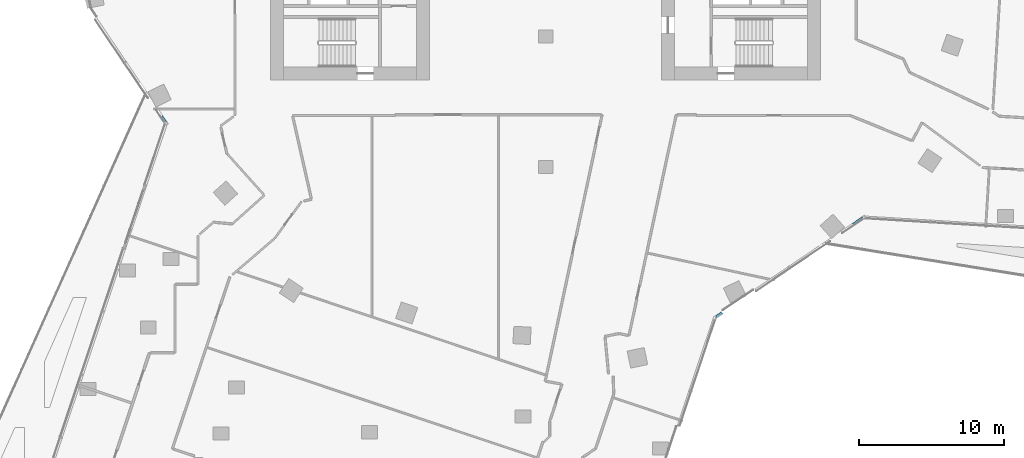
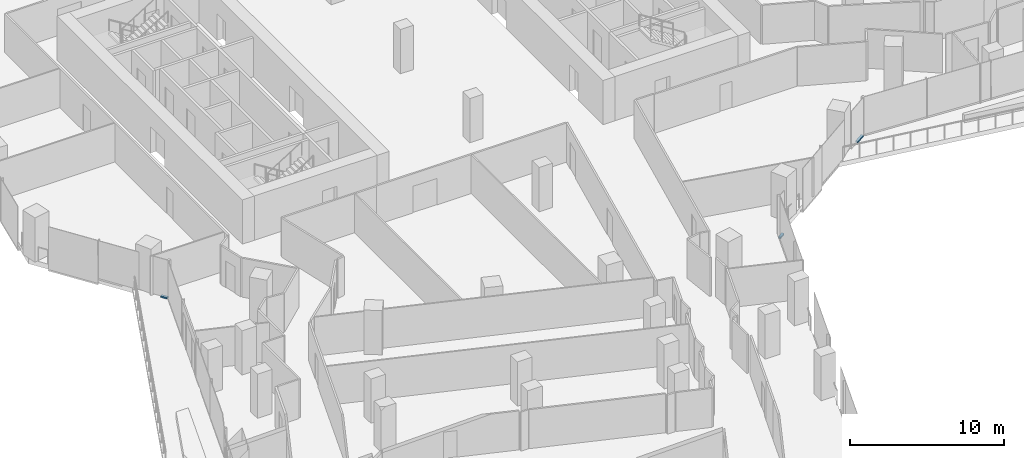
# One storey, part 14 of 34: 3 members, 2 elements without a shape of their own.
"""IFC4 building model written with IfcOpenShell, lengths in metres."""

from ifc_helpers import new_model, si_unit, direction, frame, origin, origin_2d, place, context, subcontext, project, spatial, rectangle, extrude, material, material_profile, profile_set, type_object, element, aggregate, save


model = new_model("IFC4")

# Units and contexts
model_context = context("Model", 3, precision=1e-05, world=origin(), true_north=direction((0.0, 1.0)))
body_context = subcontext(model_context, "Body", "Model", "MODEL_VIEW")
ifc_project = project(units=[si_unit("LENGTHUNIT", "METRE"), si_unit("AREAUNIT", "SQUARE_METRE"), si_unit("VOLUMEUNIT", "CUBIC_METRE"), si_unit("PLANEANGLEUNIT", "RADIAN"), si_unit("MASSUNIT", "GRAM", prefix="KILO")], contexts=[model_context])

# Site, building, storey
site_placement = place(None, origin())
site = spatial("IfcSite", under=ifc_project, at=site_placement, CompositionType="ELEMENT")
building_placement = place(site_placement, origin())
building = spatial("IfcBuilding", under=site, at=building_placement, Name="Orlundy Tower", CompositionType="ELEMENT")
storey_placement = place(building_placement, frame((0.0, 0.0, 145.60009765625)))
storey = spatial("IfcBuildingStorey", under=building, at=storey_placement, Name="L37", CompositionType="ELEMENT", Elevation=145.60009765625)

# Curtain wall, members
ifc_material_1 = material(Name="Aluminium bronze anodised", Category="aluminium")
curtain_wall_type = type_object("IfcCurtainWallType", Name="CW1 wall", PredefinedType="NOTDEFINED", material=ifc_material_1)
curtain_wall_1_placement = place(storey_placement, origin())
curtain_wall_1 = element("IfcCurtainWall", 1, at=curtain_wall_1_placement, inside=storey, type_object=curtain_wall_type, Name="CW1 run 01", PredefinedType="NOTDEFINED")
ifc_material_2 = material(Name="Aluminium bronze anodised", Category="aluminium")
ifc_material_profile = material_profile(ifc_material_2, rectangle(XDim=0.179931640625, YDim=0.1201171875, at=origin_2d()), Name="CW1 transom 180x120")
ifc_profile_set = profile_set([ifc_material_profile], Name="Aluminium bronze anodised")
member_type = type_object("IfcMemberType", Name="CW1 transom 180x120", PredefinedType="USERDEFINED", material=ifc_profile_set)
member_1_placement = place(storey_placement, frame((21.90234375, -21.52197265625, 0.059814453125), z_axis=(-0.829062353438, -0.559156162545, 0.0), x_axis=(0.559156162545, -0.829062353438, 0.0)))
member_1 = element("IfcMember", 2, at=member_1_placement, type_object=member_type, Name="CW1 transom", ObjectType="TRANSOM", PredefinedType="USERDEFINED", context=body_context, shape_type="SweptSolid", body=[
    extrude(rectangle(XDim=0.179931640625, YDim=0.1201171875, at=origin_2d()), origin(), (0.0, 0.0, 1.0), 0.807861328125),
])
member_2_placement = place(storey_placement, frame((12.19287109375, -28.070556640625, -0.340087890625), z_axis=(-0.828798772299, -0.559546776451, 0.0), x_axis=(0.559546776451, -0.828798772299, 0.0)))
member_2 = element("IfcMember", 3, at=member_2_placement, type_object=member_type, Name="CW1 transom", ObjectType="TRANSOM", PredefinedType="USERDEFINED", context=body_context, shape_type="SweptSolid", body=[
    extrude(rectangle(XDim=0.179931640625, YDim=0.1201171875, at=origin_2d()), origin(), (0.0, 0.0, 1.0), 0.510498046875),
])
aggregate(curtain_wall_1, [member_1, member_2])

# Curtain wall, member
curtain_wall_2_placement = place(storey_placement, origin())
curtain_wall_2 = element("IfcCurtainWall", 4, at=curtain_wall_2_placement, inside=storey, type_object=curtain_wall_type, Name="CW1 run 013", PredefinedType="NOTDEFINED")
member_3_placement = place(storey_placement, frame((-26.245849609375, -14.89892578125, 0.059814453125), z_axis=(-0.559043909901, 0.829138050509, 0.0), x_axis=(-0.829138050509, -0.559043909901, 0.0)))
member_3 = element("IfcMember", 5, at=member_3_placement, type_object=member_type, Name="CW1 transom", ObjectType="TRANSOM", PredefinedType="USERDEFINED", context=body_context, shape_type="SweptSolid", body=[
    extrude(rectangle(XDim=0.179931640625, YDim=0.1201171875, at=origin_2d()), origin(), (0.0, 0.0, 1.0), 0.47900390625),
])
aggregate(curtain_wall_2, [member_3])

save(model, "model.ifc")
